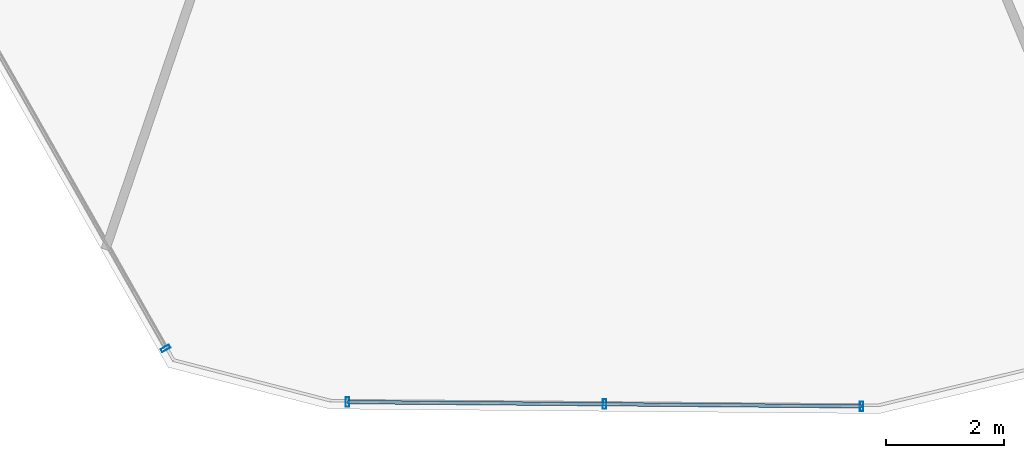
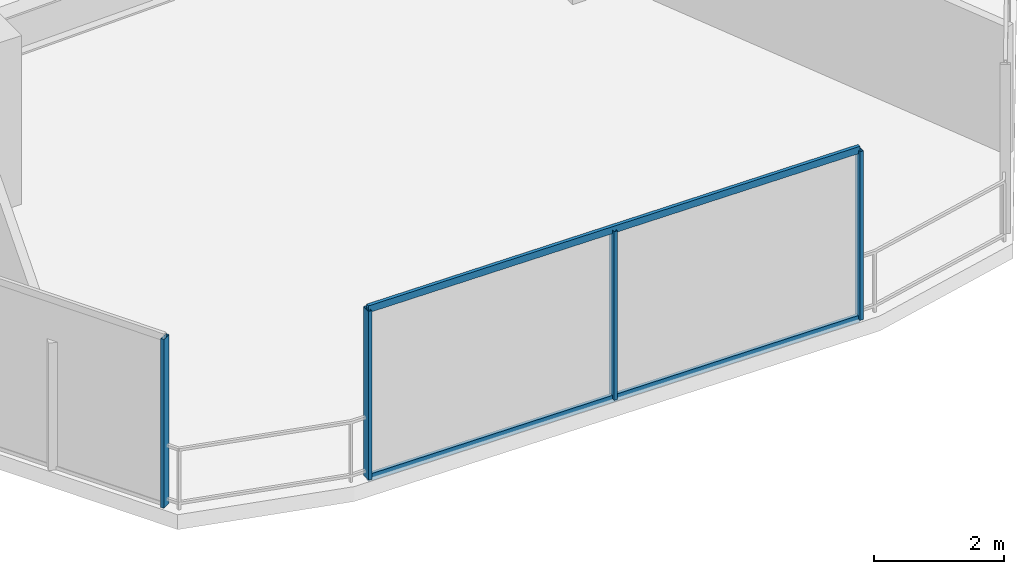
# One storey, part 5 of 31: 6 members, 2 elements without a shape of their own.
"""IFC4 building model written with IfcOpenShell, lengths in metres."""

from ifc_helpers import new_model, si_unit, direction, frame, origin, origin_2d, place, context, subcontext, project, spatial, hollow_rectangle, extrude, material, layer, layer_set, material_profile, profile_set, type_object, element, aggregate, save


model = new_model("IFC4")

# Units and contexts
model_context = context("Model", 3, precision=1e-05, world=origin(), true_north=direction((0.0, 1.0)))
body_context = subcontext(model_context, "Body", "Model", "MODEL_VIEW")
ifc_project = project(units=[si_unit("LENGTHUNIT", "METRE"), si_unit("AREAUNIT", "SQUARE_METRE"), si_unit("VOLUMEUNIT", "CUBIC_METRE"), si_unit("PLANEANGLEUNIT", "RADIAN"), si_unit("MASSUNIT", "GRAM", prefix="KILO")], contexts=[model_context])

# Site, building, storey
site_placement = place(None, origin())
site = spatial("IfcSite", under=ifc_project, at=site_placement, CompositionType="ELEMENT")
building_placement = place(site_placement, origin())
building = spatial("IfcBuilding", under=site, at=building_placement, Name="Qarnah Convention Tower", CompositionType="ELEMENT")
storey_placement = place(building_placement, frame((0.0, 0.0, 64.949951171875)))
storey = spatial("IfcBuildingStorey", under=building, at=storey_placement, Name="L16", CompositionType="ELEMENT", Elevation=64.949951171875)

# Curtain wall, member
ifc_material_1 = material(Name="Tempered Low-E dark glass", Category="glass")
ifc_layer = layer(ifc_material_1, 0.16796875)
ifc_layer_set = layer_set([ifc_layer], Name="Tempered Low-E dark glass")
curtain_wall_type = type_object("IfcCurtainWallType", Name="CWS-01", PredefinedType="NOTDEFINED", material=ifc_layer_set)
curtain_wall_1_placement = place(storey_placement, origin())
curtain_wall_1 = element("IfcCurtainWall", 1, at=curtain_wall_1_placement, inside=storey, type_object=curtain_wall_type, Name="L16 unitised curtain wall CW-L16-F3", PredefinedType="NOTDEFINED")
ifc_material_2 = material(Name="Black anodised aluminium", Category="aluminium")
ifc_material_profile_1 = material_profile(ifc_material_2, hollow_rectangle(XDim=0.06005859375, YDim=0.159912109375, WallThickness=0.00390625, at=origin_2d()), Name="MUL-60X160")
ifc_profile_set_1 = profile_set([ifc_material_profile_1], Name="Black anodised aluminium")
member_type_1 = type_object("IfcMemberType", Name="MUL-T1", PredefinedType="MULLION", material=ifc_profile_set_1)
member_1_placement = place(storey_placement, frame((30.60595703125, 1.9130859375, 0.0), z_axis=(0.0, 0.0, 1.0), x_axis=(-0.492728662866, 0.870183006493, 0.0)))
member_1 = element("IfcMember", 2, at=member_1_placement, type_object=member_type_1, Name="CW-L16-F3 mullion 1", PredefinedType="MULLION", context=body_context, shape_type="SweptSolid", body=[
    extrude(hollow_rectangle(XDim=0.06005859375, YDim=0.159912109375, WallThickness=0.00390625, at=origin_2d()), origin(), (0.0, 0.0, 1.0), 3.170166015625),
])
aggregate(curtain_wall_1, [member_1])

# Curtain wall, members
curtain_wall_2_placement = place(storey_placement, origin())
curtain_wall_2 = element("IfcCurtainWall", 3, at=curtain_wall_2_placement, inside=storey, type_object=curtain_wall_type, Name="L16 unitised curtain wall CW-L16-F4", PredefinedType="NOTDEFINED")
member_2_placement = place(storey_placement, frame((42.3779296875, 0.93310546875, 0.0), z_axis=(0.0, 0.0, 1.0), x_axis=(-0.999965717391, 0.008280340758, 0.0)))
member_2 = element("IfcMember", 4, at=member_2_placement, type_object=member_type_1, Name="CW-L16-F4 mullion 1", PredefinedType="MULLION", context=body_context, shape_type="SweptSolid", body=[
    extrude(hollow_rectangle(XDim=0.06005859375, YDim=0.159912109375, WallThickness=0.00390625, at=origin_2d()), origin(), (0.0, 0.0, 1.0), 3.170166015625),
])
member_3_placement = place(storey_placement, frame((38.030517578125, 0.968994140625, 0.0), z_axis=(0.0, 0.0, 1.0), x_axis=(-0.999965717391, 0.008280340758, 0.0)))
member_3 = element("IfcMember", 5, at=member_3_placement, type_object=member_type_1, Name="CW-L16-F4 mullion 2", PredefinedType="MULLION", context=body_context, shape_type="SweptSolid", body=[
    extrude(hollow_rectangle(XDim=0.06005859375, YDim=0.159912109375, WallThickness=0.00390625, at=origin_2d()), origin(), (0.0, 0.0, 1.0), 3.170166015625),
])
member_4_placement = place(storey_placement, frame((33.68310546875, 1.0048828125, 0.0), z_axis=(0.0, 0.0, 1.0), x_axis=(-0.999965717391, 0.008280340758, 0.0)))
member_4 = element("IfcMember", 6, at=member_4_placement, type_object=member_type_1, Name="CW-L16-F4 mullion 3", PredefinedType="MULLION", context=body_context, shape_type="SweptSolid", body=[
    extrude(hollow_rectangle(XDim=0.06005859375, YDim=0.159912109375, WallThickness=0.00390625, at=origin_2d()), origin(), (0.0, 0.0, 1.0), 3.170166015625),
])
ifc_material_profile_2 = material_profile(ifc_material_2, hollow_rectangle(XDim=0.06005859375, YDim=0.1298828125, WallThickness=0.00390625, at=origin_2d()), Name="TRN-60X130")
ifc_profile_set_2 = profile_set([ifc_material_profile_2], Name="Black anodised aluminium")
member_type_2 = type_object("IfcMemberType", Name="TRN-T1", PredefinedType="USERDEFINED", material=ifc_profile_set_2)
member_5_placement = place(storey_placement, frame((42.3779296875, 0.93310546875, 0.0), z_axis=(-0.999965927739, 0.008254899274, 0.0), x_axis=(-0.008254899274, -0.999965927739, 0.0)))
member_5 = element("IfcMember", 7, at=member_5_placement, type_object=member_type_2, Name="CW-L16-F4 transom 1", ObjectType="TRANSOM", PredefinedType="USERDEFINED", context=body_context, shape_type="SweptSolid", body=[
    extrude(hollow_rectangle(XDim=0.06005859375, YDim=0.1298828125, WallThickness=0.00390625, at=origin_2d()), origin(), (0.0, 0.0, 1.0), 8.695068359375),
])
member_6_placement = place(storey_placement, frame((42.3779296875, 0.93310546875, 3.170166015625), z_axis=(-0.999965927739, 0.008254899274, 0.0), x_axis=(-0.008254899274, -0.999965927739, 0.0)))
member_6 = element("IfcMember", 8, at=member_6_placement, type_object=member_type_2, Name="CW-L16-F4 transom 2", ObjectType="TRANSOM", PredefinedType="USERDEFINED", context=body_context, shape_type="SweptSolid", body=[
    extrude(hollow_rectangle(XDim=0.06005859375, YDim=0.1298828125, WallThickness=0.00390625, at=origin_2d()), origin(), (0.0, 0.0, 1.0), 8.695068359375),
])
aggregate(curtain_wall_2, [member_2, member_3, member_4, member_5, member_6])

save(model, "model.ifc")
